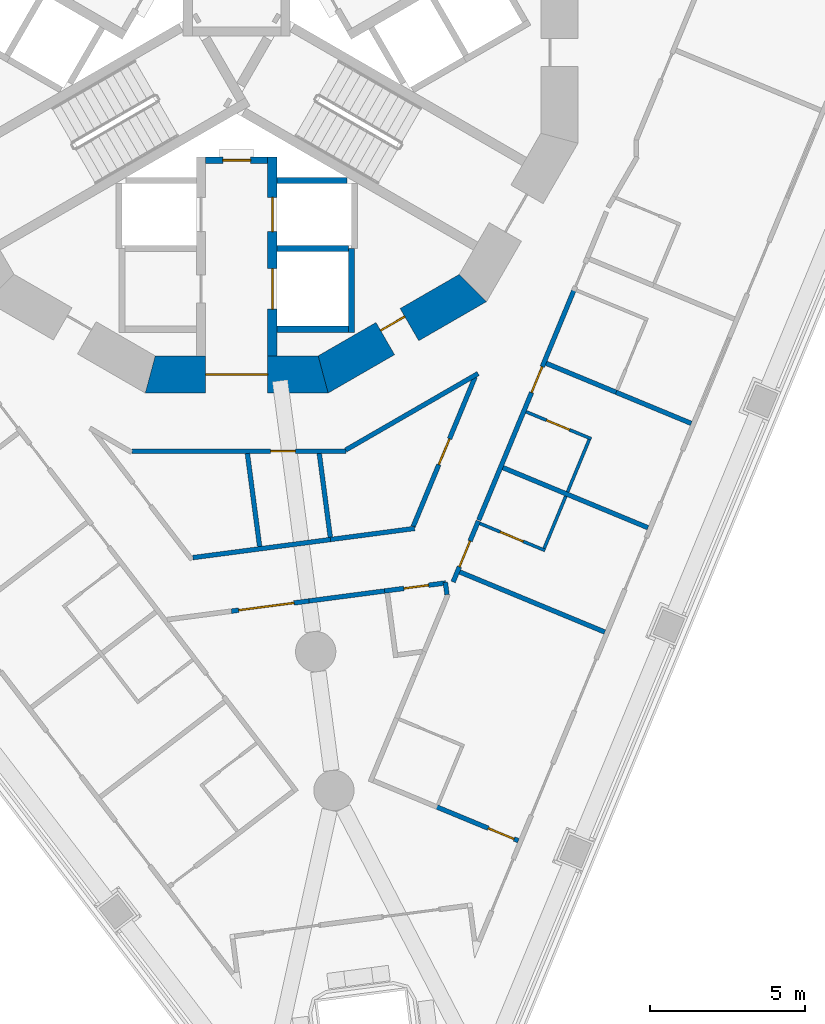
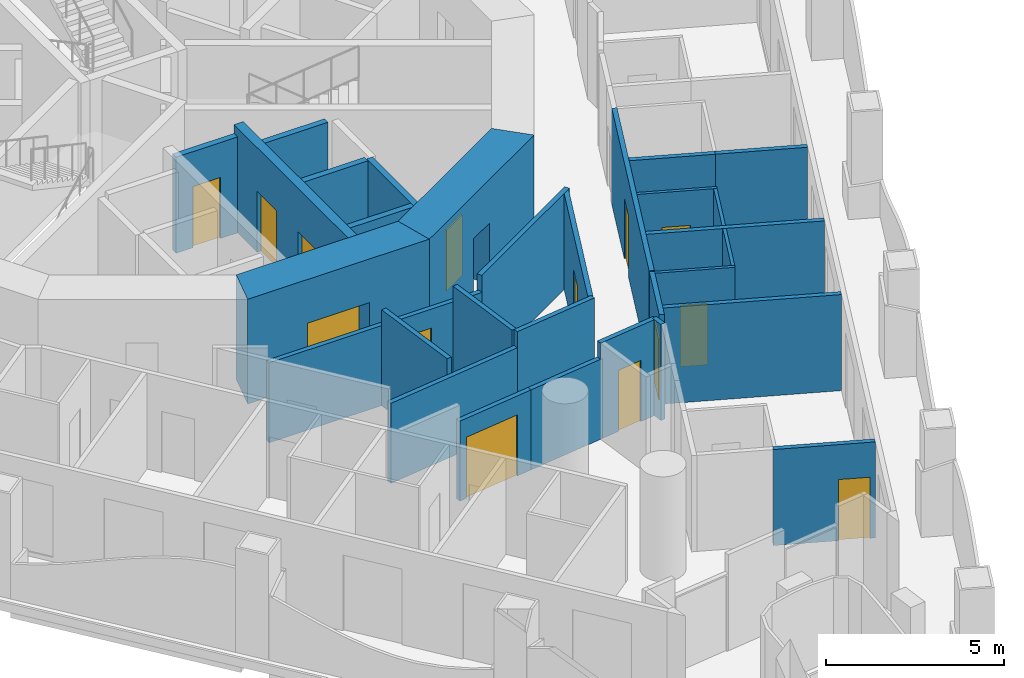
# One storey, part 4 of 19: 30 walls, 14 doors, 14 openings.
"""IFC4 building model written with IfcOpenShell, lengths in metres."""

from ifc_helpers import new_model, si_unit, direction, frame, frame_2d, origin, place, context, subcontext, project, spatial, polyline, rectangle, outline, extrude, material, layer, layer_set, type_object, element, fill, save


model = new_model("IFC4")

# Units and contexts
model_context = context("Model", 3, precision=1e-05, world=origin(), true_north=direction((0.0, 1.0)))
body_context = subcontext(model_context, "Body", "Model", "MODEL_VIEW")
ifc_project = project(units=[si_unit("LENGTHUNIT", "METRE"), si_unit("AREAUNIT", "SQUARE_METRE"), si_unit("VOLUMEUNIT", "CUBIC_METRE"), si_unit("PLANEANGLEUNIT", "RADIAN"), si_unit("MASSUNIT", "GRAM", prefix="KILO")], contexts=[model_context])

# Site, building, storey
site_placement = place(None, origin())
site = spatial("IfcSite", under=ifc_project, at=site_placement, CompositionType="ELEMENT")
building_placement = place(site_placement, origin())
building = spatial("IfcBuilding", under=site, at=building_placement, Name="Trine Commons Tower", CompositionType="ELEMENT")
storey_placement = place(building_placement, frame((0.0, 0.0, 75.60009765625)))
storey = spatial("IfcBuildingStorey", under=building, at=storey_placement, Name="L18", CompositionType="ELEMENT", Elevation=75.60009765625)

# Wall, opening, door
ifc_material_1 = material(Name="Fire-rated gypsum shaft wall system")
ifc_layer_1 = layer(ifc_material_1, 0.199951171875)
ifc_layer_set_1 = layer_set([ifc_layer_1], Name="Fire-rated gypsum shaft wall system")
wall_type_1 = type_object("IfcWallType", Name="Lobby end wall 200 mm, EI 120", PredefinedType="PARTITIONING", material=ifc_layer_set_1)
wall_1_placement = place(storey_placement, frame((79.0, 59.0, 0.0), z_axis=(0.0, 0.0, 1.0), x_axis=(1.0, 0.0, 0.0)))
wall_1 = element("IfcWall", 1, at=wall_1_placement, inside=storey, type_object=wall_type_1, Name="Lobby end wall L18", PredefinedType="PARTITIONING", context=body_context, shape_type="SweptSolid", body=[
    extrude(rectangle(XDim=2.0, YDim=0.199951171875, at=frame_2d((1.0, 0.0))), origin(), (0.0, 0.0, 1.0), 3.2998046875),
])
opening_1_placement = place(wall_1_placement, frame((0.550048828125, 0.0, 0.0)))
opening_1 = element("IfcOpeningElement", 2, at=opening_1_placement, cuts=wall_1, Name="Opening K05.09", PredefinedType="OPENING", context=body_context, shape_type="SweptSolid", body=[
    extrude(rectangle(XDim=0.89990234375, YDim=2.10009765625, at=frame_2d((0.449951171875, 1.050048828125))), frame((0.0, 0.10986328125, 0.0), z_axis=(0.0, -1.0, 0.0), x_axis=(1.0, 0.0, 0.0)), (0.0, 0.0, 1.0), 0.219970703125),
])
ifc_material_2 = material(Name="Steel door leaf, fire-rated", Category="steel")
door_type_1 = type_object("IfcDoorType", Name="Riser access door, single leaf 900 x 2100, FD60", OperationType="SINGLE_SWING_LEFT", PredefinedType="DOOR", material=ifc_material_2)
door_1_placement = place(opening_1_placement, frame((0.89990234375, 0.0, 0.0), z_axis=(0.0, 0.0, 1.0), x_axis=(-1.0, 0.0, 0.0)))
door_1 = element("IfcDoor", 3, at=door_1_placement, inside=storey, type_object=door_type_1, Name="Riser door, Communications riser L18", OperationType="SINGLE_SWING_RIGHT", OverallHeight=2.10009765625, OverallWidth=0.89990234375, PredefinedType="DOOR", context=body_context, shape_type="SweptSolid", body=[
    extrude(rectangle(XDim=0.89990234375, YDim=2.10009765625, at=frame_2d((0.449951171875, 1.050048828125))), frame((0.0, 0.02490234375, 0.0), z_axis=(0.0, -1.0, 0.0), x_axis=(1.0, 0.0, 0.0)), (0.0, 0.0, 1.0), 0.050048828125),
])
fill(opening_1, door_1)

ifc_material_3 = material(Name="Concrete C80/95", Category="concrete")
ifc_layer_2 = layer(ifc_material_3, 1.199951171875)
ifc_layer_set_2 = layer_set([ifc_layer_2], Name="Concrete C80/95")
wall_type_2 = type_object("IfcWallType", Name="RC shear wall 1200 mm, C80/95", PredefinedType="SHEAR", material=ifc_layer_set_2)
wall_2_placement = place(storey_placement, frame((77.049560546875, 52.08837890625, 0.0), z_axis=(0.0, 0.0, 1.0), x_axis=(1.0, 0.0, 0.0)))
wall_2 = element("IfcWall", 4, at=wall_2_placement, inside=storey, type_object=wall_type_2, Name="Core wall CWB-10 L18", PredefinedType="SHEAR", context=body_context, shape_type="SweptSolid", body=[
    extrude(outline(polyline([(0.0, -0.60009765625), (5.90087890625, -0.60009765625), (5.57958984375, 0.60009765625), (0.321533203125, 0.60009765625), (0.0, -0.60009765625)])), origin(), (0.0, 0.0, 1.0), 3.599853515625),
])
opening_2_placement = place(wall_2_placement, frame((1.950439453125, 0.0, 0.0)))
opening_2 = element("IfcOpeningElement", 5, at=opening_2_placement, cuts=wall_2, Name="Opening K05.08", PredefinedType="OPENING", context=body_context, shape_type="SweptSolid", body=[
    extrude(rectangle(XDim=2.0, YDim=2.10009765625, at=frame_2d((1.0, 1.050048828125))), frame((0.0, 0.60986328125, 0.0), z_axis=(0.0, -1.0, 0.0), x_axis=(1.0, 0.0, 0.0)), (0.0, 0.0, 1.0), 1.219970703125),
])
ifc_material_4 = material(Name="Steel door leaves, fire-rated", Category="steel")
door_type_2 = type_object("IfcDoorType", Name="Lobby door, double leaf 2000 x 2100, FD60", OperationType="DOUBLE_DOOR_SINGLE_SWING", PredefinedType="DOOR", material=ifc_material_4)
door_2_placement = place(opening_2_placement, origin())
door_2 = element("IfcDoor", 6, at=door_2_placement, inside=storey, type_object=door_type_2, Name="Lobby door, Service and firefighting lobby L18", OperationType="DOUBLE_DOOR_SINGLE_SWING", OverallHeight=2.10009765625, OverallWidth=2.0, PredefinedType="DOOR", context=body_context, shape_type="SweptSolid", body=[
    extrude(rectangle(XDim=2.0, YDim=2.10009765625, at=frame_2d((1.0, 1.050048828125))), frame((0.0, 0.02490234375, 0.0), z_axis=(0.0, -1.0, 0.0), x_axis=(1.0, 0.0, 0.0)), (0.0, 0.0, 1.0), 0.050048828125),
])
fill(opening_2, door_2)

wall_3_placement = place(storey_placement, frame((82.650390625, 52.008056640625, 0.0), z_axis=(0.0, 0.0, 1.0), x_axis=(0.866037463336, 0.499979111662, 0.0)))
wall_3 = element("IfcWall", 7, at=wall_3_placement, inside=storey, type_object=wall_type_2, Name="Core wall CWB-11 L18", PredefinedType="SHEAR", context=body_context, shape_type="SweptSolid", body=[
    extrude(outline(polyline([(0.0, -0.60009765625), (5.901123046875, -0.60009765625), (5.57958984375, 0.60009765625), (0.321533203125, 0.60009765625), (0.0, -0.60009765625)])), origin(), (0.0, 0.0, 1.0), 3.599853515625),
])
opening_3_placement = place(wall_3_placement, frame((2.474853515625, 0.0, 0.0)))
opening_3 = element("IfcOpeningElement", 8, at=opening_3_placement, cuts=wall_3, Name="Opening K05.15", PredefinedType="OPENING", context=body_context, shape_type="SweptSolid", body=[
    extrude(rectangle(XDim=0.89990234375, YDim=2.10009765625, at=frame_2d((0.449951171875, 1.050048828125))), frame((0.0, 0.60986328125, 0.0), z_axis=(0.0, -1.0, 0.0), x_axis=(1.0, 0.0, 0.0)), (0.0, 0.0, 1.0), 1.219970703125),
])
door_type_3 = type_object("IfcDoorType", Name="Core room door, single leaf 900 x 2100, FD30S", OperationType="SINGLE_SWING_LEFT", PredefinedType="DOOR", material=ifc_material_2)
door_3_placement = place(opening_3_placement, origin())
door_3 = element("IfcDoor", 9, at=door_3_placement, inside=storey, type_object=door_type_3, Name="Door to Core WC L18", OperationType="SINGLE_SWING_LEFT", OverallHeight=2.10009765625, OverallWidth=0.89990234375, PredefinedType="DOOR", context=body_context, shape_type="SweptSolid", body=[
    extrude(rectangle(XDim=0.89990234375, YDim=2.10009765625, at=frame_2d((0.449951171875, 1.050048828125))), frame((0.0, 0.3251953125, 0.0), z_axis=(0.0, -1.0, 0.0), x_axis=(1.0, 0.0, 0.0)), (0.0, 0.0, 1.0), 0.050048828125),
])
fill(opening_3, door_3)

# Wall, openings, doors
ifc_layer_3 = layer(ifc_material_3, 0.300048828125)
ifc_layer_set_3 = layer_set([ifc_layer_3], Name="Concrete C80/95")
wall_type_3 = type_object("IfcWallType", Name="RC shear wall 300 mm, C80/95", PredefinedType="SHEAR", material=ifc_layer_set_3)
wall_4_placement = place(storey_placement, frame((81.14990234375, 59.10009765625, 0.0), z_axis=(0.0, 0.0, 1.0), x_axis=(0.0, -1.0, 0.0)))
wall_4 = element("IfcWall", 10, at=wall_4_placement, inside=storey, type_object=wall_type_3, Name="Core cross wall SWA-04 L18", PredefinedType="SHEAR", context=body_context, shape_type="SweptSolid", body=[
    extrude(rectangle(XDim=6.412109375, YDim=0.300048828125, at=frame_2d((3.2060546875, 0.0))), origin(), (0.0, 0.0, 1.0), 3.599853515625),
])
opening_4_placement = place(wall_4_placement, frame((3.60009765625, 0.0, 0.0)))
opening_4 = element("IfcOpeningElement", 11, at=opening_4_placement, cuts=wall_4, Name="Opening LD11", PredefinedType="OPENING", context=body_context, shape_type="SweptSolid", body=[
    extrude(rectangle(XDim=1.300048828125, YDim=2.10009765625, at=frame_2d((0.64990234375, 1.050048828125))), frame((0.0, 0.159912109375, 0.0), z_axis=(0.0, -1.0, 0.0), x_axis=(1.0, 0.0, 0.0)), (0.0, 0.0, 1.0), 0.320068359375),
])
opening_5_placement = place(wall_4_placement, frame((1.300048828125, 0.0, 0.0)))
opening_5 = element("IfcOpeningElement", 12, at=opening_5_placement, cuts=wall_4, Name="Opening LD9", PredefinedType="OPENING", context=body_context, shape_type="SweptSolid", body=[
    extrude(rectangle(XDim=1.10009765625, YDim=2.10009765625, at=frame_2d((0.550048828125, 1.050048828125))), frame((0.0, 0.159912109375, 0.0), z_axis=(0.0, -1.0, 0.0), x_axis=(1.0, 0.0, 0.0)), (0.0, 0.0, 1.0), 0.320068359375),
])
ifc_material_5 = material(Name="Stainless steel sliding door leaves", Category="steel")
door_type_4 = type_object("IfcDoorType", Name="Lift landing door, centre-opening sliding 1100 x 2100, FD90", OperationType="DOUBLE_DOOR_SLIDING", PredefinedType="DOOR", material=ifc_material_5)
door_4_placement = place(opening_5_placement, origin())
door_4 = element("IfcDoor", 13, at=door_4_placement, inside=storey, type_object=door_type_4, Name="Lift landing door FF1 L18", OperationType="DOUBLE_DOOR_SLIDING", OverallHeight=2.10009765625, OverallWidth=1.10009765625, PredefinedType="DOOR", context=body_context, shape_type="SweptSolid", body=[
    extrude(rectangle(XDim=1.10009765625, YDim=2.10009765625, at=frame_2d((0.550048828125, 1.050048828125))), frame((0.0, 0.02490234375, 0.0), z_axis=(0.0, -1.0, 0.0), x_axis=(1.0, 0.0, 0.0)), (0.0, 0.0, 1.0), 0.050048828125),
])
fill(opening_5, door_4)
door_type_5 = type_object("IfcDoorType", Name="Lift landing door, centre-opening sliding 1300 x 2100, FD90", OperationType="DOUBLE_DOOR_SLIDING", PredefinedType="DOOR", material=ifc_material_5)
door_5_placement = place(opening_4_placement, origin())
door_5 = element("IfcDoor", 14, at=door_5_placement, inside=storey, type_object=door_type_5, Name="Lift landing door G1 L18", OperationType="DOUBLE_DOOR_SLIDING", OverallHeight=2.10009765625, OverallWidth=1.300048828125, PredefinedType="DOOR", context=body_context, shape_type="SweptSolid", body=[
    extrude(rectangle(XDim=1.300048828125, YDim=2.10009765625, at=frame_2d((0.64990234375, 1.050048828125))), frame((0.0, 0.02490234375, 0.0), z_axis=(0.0, -1.0, 0.0), x_axis=(1.0, 0.0, 0.0)), (0.0, 0.0, 1.0), 0.050048828125),
])
fill(opening_4, door_5)

# Walls
ifc_layer_4 = layer(ifc_material_1, 0.199951171875)
ifc_layer_set_4 = layer_set([ifc_layer_4], Name="Fire-rated gypsum shaft wall system")
wall_type_4 = type_object("IfcWallType", Name="Shaft wall 200 mm, EI 120", PredefinedType="PARTITIONING", material=ifc_layer_set_4)
for number, where, z_axis, x_axis, name in (
    (15, (81.300048828125, 53.550048828125, 0.0), (0.0, 0.0, 1.0), (1.0, 0.0, 0.0), "Shaft wall L18"),
    (16, (81.300048828125, 56.14990234375, 0.0), (0.0, 0.0, 1.0), (1.0, 0.0, 0.0), "Shaft wall L18"),
):
    element("IfcWall", number, at=place(storey_placement, frame(where, z_axis=z_axis, x_axis=x_axis)), inside=storey, type_object=wall_type_4, Name=name, PredefinedType="PARTITIONING", context=body_context, shape_type="SweptSolid", body=[
        extrude(rectangle(XDim=2.300048828125, YDim=0.199951171875, at=frame_2d((1.14990234375, 0.0))), origin(), (0.0, 0.0, 1.0), 3.2998046875),
    ])
wall_5_placement = place(storey_placement, frame((81.300048828125, 58.35009765625, 0.0), z_axis=(0.0, 0.0, 1.0), x_axis=(1.0, 0.0, 0.0)))
element("IfcWall", 17, at=wall_5_placement, inside=storey, type_object=wall_type_4, Name="Shaft wall L18", PredefinedType="PARTITIONING", context=body_context, shape_type="SweptSolid", body=[
    extrude(rectangle(XDim=2.264892578125, YDim=0.199951171875, at=frame_2d((1.13232421875, 0.0))), origin(), (0.0, 0.0, 1.0), 3.2998046875),
])
wall_6_placement = place(storey_placement, frame((83.699951171875, 56.14990234375, 0.0), z_axis=(0.0, 0.0, 1.0), x_axis=(0.0, -1.0, 0.0)))
element("IfcWall", 18, at=wall_6_placement, inside=storey, type_object=wall_type_4, Name="Shaft wall L18", PredefinedType="PARTITIONING", context=body_context, shape_type="SweptSolid", body=[
    extrude(rectangle(XDim=2.699951171875, YDim=0.199951171875, at=frame_2d((1.35009765625, 0.0))), origin(), (0.0, 0.0, 1.0), 3.2998046875),
])

# Wall, opening, door
ifc_material_6 = material(Name="Gypsum plasterboard on steel stud", Category="steel")
ifc_layer_5 = layer(ifc_material_6, 0.14990234375)
ifc_layer_set_5 = layer_set([ifc_layer_5], Name="Gypsum plasterboard on steel stud")
wall_type_5 = type_object("IfcWallType", Name="Unit and corridor wall 150 mm, EI 60", PredefinedType="PARTITIONING", material=ifc_layer_set_5)
wall_7_placement = place(storey_placement, frame((76.6220703125, 49.613037109375, 0.0), z_axis=(0.0, 0.0, 1.0), x_axis=(1.0, 0.0, 0.0)))
wall_7 = element("IfcWall", 19, at=wall_7_placement, inside=storey, type_object=wall_type_5, Name="Partition 068", PredefinedType="PARTITIONING", context=body_context, shape_type="SweptSolid", body=[
    extrude(rectangle(XDim=6.906005859375, YDim=0.14990234375, at=frame_2d((3.453125, 0.0))), origin(), (0.0, 0.0, 1.0), 2.75),
])
opening_6_placement = place(wall_7_placement, frame((4.472900390625, 0.0, 0.0)))
opening_6 = element("IfcOpeningElement", 20, at=opening_6_placement, cuts=wall_7, Name="Opening D-2C40", PredefinedType="OPENING", context=body_context, shape_type="SweptSolid", body=[
    extrude(rectangle(XDim=0.800048828125, YDim=2.10009765625, at=frame_2d((0.39990234375, 1.050048828125))), frame((0.0, 0.0849609375, 0.0), z_axis=(0.0, -1.0, 0.0), x_axis=(1.0, 0.0, 0.0)), (0.0, 0.0, 1.0), 0.169921875),
])
ifc_material_7 = material(Name="Painted timber", Category="wood")
door_type_6 = type_object("IfcDoorType", Name="Toilet door 800 x 2100, NOT RATED", OperationType="NOTDEFINED", PredefinedType="DOOR", material=ifc_material_7)
door_6_placement = place(opening_6_placement, frame((0.800048828125, 0.0, 0.0), z_axis=(0.0, 0.0, 1.0), x_axis=(-1.0, 0.0, 0.0)))
door_6 = element("IfcDoor", 21, at=door_6_placement, inside=storey, type_object=door_type_6, Name="Door D-2C40", OperationType="SINGLE_SWING_LEFT", OverallHeight=2.10009765625, OverallWidth=0.800048828125, PredefinedType="DOOR", context=body_context, shape_type="SweptSolid", body=[
    extrude(rectangle(XDim=0.800048828125, YDim=2.10009765625, at=frame_2d((0.39990234375, 1.050048828125))), frame((0.0, 0.02490234375, 0.0), z_axis=(0.0, -1.0, 0.0), x_axis=(1.0, 0.0, 0.0)), (0.0, 0.0, 1.0), 0.050048828125),
])
fill(opening_6, door_6)

# Wall
wall_8_placement = place(storey_placement, frame((78.58642578125, 46.177734375, 0.0), z_axis=(0.0, 0.0, 1.0), x_axis=(0.991454110298, 0.130455920425, 0.0)))
element("IfcWall", 22, at=wall_8_placement, inside=storey, type_object=wall_type_5, Name="Partition 074", PredefinedType="PARTITIONING", context=body_context, shape_type="SweptSolid", body=[
    extrude(rectangle(XDim=4.48583984375, YDim=0.14990234375, at=frame_2d((2.242919921875, 0.0))), origin(), (0.0, 0.0, 1.0), 2.75),
])

# Wall, opening, door
wall_9_placement = place(storey_placement, frame((79.830078125, 44.450927734375, 0.0), z_axis=(0.0, 0.0, 1.0), x_axis=(0.991466141497, 0.130364451691, 0.0)))
wall_9 = element("IfcWall", 23, at=wall_9_placement, inside=storey, type_object=wall_type_5, Name="Partition 079", PredefinedType="PARTITIONING", context=body_context, shape_type="SweptSolid", body=[
    extrude(rectangle(XDim=2.5244140625, YDim=0.14990234375, at=frame_2d((1.26220703125, 0.0))), origin(), (0.0, 0.0, 1.0), 2.75),
])
opening_7_placement = place(wall_9_placement, frame((0.23486328125, 0.0, 0.0)))
opening_7 = element("IfcOpeningElement", 24, at=opening_7_placement, cuts=wall_9, Name="Opening D-2C02", PredefinedType="OPENING", context=body_context, shape_type="SweptSolid", body=[
    extrude(rectangle(XDim=1.800048828125, YDim=2.10009765625, at=frame_2d((0.89990234375, 1.050048828125))), frame((0.0, 0.0849609375, 0.0), z_axis=(0.0, -1.0, 0.0), x_axis=(1.0, 0.0, 0.0)), (0.0, 0.0, 1.0), 0.169921875),
])
ifc_material_8 = material(Name="Timber fire door set", Category="wood")
door_type_7 = type_object("IfcDoorType", Name="Cluster entrance door 1800 x 2100, double leaf, FD30S", OperationType="DOUBLE_DOOR_DOUBLE_SWING", PredefinedType="DOOR", material=ifc_material_8)
door_7_placement = place(opening_7_placement, frame((1.800048828125, 0.0, 0.0), z_axis=(0.0, 0.0, 1.0), x_axis=(-1.0, 0.0, 0.0)))
door_7 = element("IfcDoor", 25, at=door_7_placement, inside=storey, type_object=door_type_7, Name="Door D-2C02", OperationType="DOUBLE_DOOR_DOUBLE_SWING", OverallHeight=2.10009765625, OverallWidth=1.800048828125, PredefinedType="DOOR", context=body_context, shape_type="SweptSolid", body=[
    extrude(rectangle(XDim=1.800048828125, YDim=2.10009765625, at=frame_2d((0.89990234375, 1.050048828125))), frame((0.0, 0.02490234375, 0.0), z_axis=(0.0, -1.0, 0.0), x_axis=(1.0, 0.0, 0.0)), (0.0, 0.0, 1.0), 0.050048828125),
])
fill(opening_7, door_7)

# Walls
wall_10_placement = place(storey_placement, frame((80.3447265625, 49.53857421875, 0.0), z_axis=(0.0, 0.0, 1.0), x_axis=(0.130652703184, -0.991428197678, 0.0)))
element("IfcWall", 26, at=wall_10_placement, inside=storey, type_object=wall_type_5, Name="Partition 081", PredefinedType="PARTITIONING", context=body_context, shape_type="SweptSolid", body=[
    extrude(rectangle(XDim=3.027099609375, YDim=0.14990234375, at=frame_2d((1.513671875, 0.0))), origin(), (0.0, 0.0, 1.0), 3.2998046875),
])
wall_11_placement = place(storey_placement, frame((82.3330078125, 44.780029296875, 0.0), z_axis=(0.0, 0.0, 1.0), x_axis=(0.991416071527, 0.130744686764, 0.0)))
element("IfcWall", 27, at=wall_11_placement, inside=storey, type_object=wall_type_5, Name="Partition 083", PredefinedType="PARTITIONING", context=body_context, shape_type="SweptSolid", body=[
    extrude(rectangle(XDim=2.524658203125, YDim=0.14990234375, at=frame_2d((1.26220703125, 0.0))), origin(), (0.0, 0.0, 1.0), 2.75),
])
wall_12_placement = place(storey_placement, frame((82.664794921875, 49.53857421875, 0.0), z_axis=(0.0, 0.0, 1.0), x_axis=(0.130473056883, -0.991451855325, 0.0)))
element("IfcWall", 28, at=wall_12_placement, inside=storey, type_object=wall_type_5, Name="Partition 084", PredefinedType="PARTITIONING", context=body_context, shape_type="SweptSolid", body=[
    extrude(rectangle(XDim=2.724365234375, YDim=0.14990234375, at=frame_2d((1.3623046875, 0.0))), origin(), (0.0, 0.0, 1.0), 3.2998046875),
])
wall_13_placement = place(storey_placement, frame((83.02587890625, 46.761962890625, 0.0), z_axis=(0.0, 0.0, 1.0), x_axis=(0.991413869998, 0.130761379525, 0.0)))
element("IfcWall", 29, at=wall_13_placement, inside=storey, type_object=wall_type_5, Name="Partition 085", PredefinedType="PARTITIONING", context=body_context, shape_type="SweptSolid", body=[
    extrude(rectangle(XDim=2.737060546875, YDim=0.14990234375, at=frame_2d((1.36865234375, 0.0))), origin(), (0.0, 0.0, 1.0), 3.2998046875),
])
wall_14_placement = place(storey_placement, frame((83.517822265625, 49.650390625, 0.0), z_axis=(0.0, 0.0, 1.0), x_axis=(0.865971288988, 0.500093717866, 0.0)))
element("IfcWall", 30, at=wall_14_placement, inside=storey, type_object=wall_type_5, Name="Partition 086", PredefinedType="PARTITIONING", context=body_context, shape_type="SweptSolid", body=[
    extrude(rectangle(XDim=4.93310546875, YDim=0.14990234375, at=frame_2d((2.466552734375, 0.0))), origin(), (0.0, 0.0, 1.0), 3.2998046875),
])

# Wall, opening, door
wall_15_placement = place(storey_placement, frame((84.772705078125, 45.102294921875, 0.0), z_axis=(0.0, 0.0, 1.0), x_axis=(0.991450105095, 0.130486356022, 0.0)))
wall_15 = element("IfcWall", 31, at=wall_15_placement, inside=storey, type_object=wall_type_5, Name="Partition 089", PredefinedType="PARTITIONING", context=body_context, shape_type="SweptSolid", body=[
    extrude(rectangle(XDim=1.983154296875, YDim=0.14990234375, at=frame_2d((0.99169921875, 0.0))), origin(), (0.0, 0.0, 1.0), 3.2998046875),
])
opening_8_placement = place(wall_15_placement, frame((0.629150390625, 0.0, 0.0)))
opening_8 = element("IfcOpeningElement", 32, at=opening_8_placement, cuts=wall_15, Name="Opening D-2C05", PredefinedType="OPENING", context=body_context, shape_type="SweptSolid", body=[
    extrude(rectangle(XDim=0.800048828125, YDim=2.10009765625, at=frame_2d((0.39990234375, 1.050048828125))), frame((0.0, 0.0849609375, 0.0), z_axis=(0.0, -1.0, 0.0), x_axis=(1.0, 0.0, 0.0)), (0.0, 0.0, 1.0), 0.169921875),
])
door_8_placement = place(opening_8_placement, frame((0.800048828125, 0.0, 0.0), z_axis=(0.0, 0.0, 1.0), x_axis=(-1.0, 0.0, 0.0)))
door_8 = element("IfcDoor", 33, at=door_8_placement, inside=storey, type_object=door_type_6, Name="Door D-2C05", OperationType="SINGLE_SWING_LEFT", OverallHeight=2.10009765625, OverallWidth=0.800048828125, PredefinedType="DOOR", context=body_context, shape_type="SweptSolid", body=[
    extrude(rectangle(XDim=0.800048828125, YDim=2.10009765625, at=frame_2d((0.39990234375, 1.050048828125))), frame((0.0, 0.02490234375, 0.0), z_axis=(0.0, -1.0, 0.0), x_axis=(1.0, 0.0, 0.0)), (0.0, 0.0, 1.0), 0.050048828125),
])
fill(opening_8, door_8)

wall_16_placement = place(storey_placement, frame((85.693603515625, 47.17919921875, 0.0), z_axis=(0.0, 0.0, 1.0), x_axis=(0.382564920946, 0.923928612643, 0.0)))
wall_16 = element("IfcWall", 34, at=wall_16_placement, inside=storey, type_object=wall_type_5, Name="Partition 096", PredefinedType="PARTITIONING", context=body_context, shape_type="SweptSolid", body=[
    extrude(rectangle(XDim=5.227294921875, YDim=0.14990234375, at=frame_2d((2.61376953125, 0.0))), origin(), (0.0, 0.0, 1.0), 3.2998046875),
])
opening_9_placement = place(wall_16_placement, frame((2.16357421875, 0.0, 0.0)))
opening_9 = element("IfcOpeningElement", 35, at=opening_9_placement, cuts=wall_16, Name="Opening D-2C34", PredefinedType="OPENING", context=body_context, shape_type="SweptSolid", body=[
    extrude(rectangle(XDim=0.89990234375, YDim=2.10009765625, at=frame_2d((0.449951171875, 1.050048828125))), frame((0.0, 0.0849609375, 0.0), z_axis=(0.0, -1.0, 0.0), x_axis=(1.0, 0.0, 0.0)), (0.0, 0.0, 1.0), 0.169921875),
])
door_type_8 = type_object("IfcDoorType", Name="Service door 900 x 2100, FD30S", OperationType="NOTDEFINED", PredefinedType="DOOR", material=ifc_material_8)
door_9_placement = place(opening_9_placement, origin())
door_9 = element("IfcDoor", 36, at=door_9_placement, inside=storey, type_object=door_type_8, Name="Door D-2C34", OperationType="SINGLE_SWING_LEFT", OverallHeight=2.10009765625, OverallWidth=0.89990234375, PredefinedType="DOOR", context=body_context, shape_type="SweptSolid", body=[
    extrude(rectangle(XDim=0.89990234375, YDim=2.10009765625, at=frame_2d((0.449951171875, 1.050048828125))), frame((0.0, 0.02490234375, 0.0), z_axis=(0.0, -1.0, 0.0), x_axis=(1.0, 0.0, 0.0)), (0.0, 0.0, 1.0), 0.050048828125),
])
fill(opening_9, door_9)

wall_17_placement = place(storey_placement, frame((86.413818359375, 38.151123046875, 0.0), z_axis=(0.0, 0.0, 1.0), x_axis=(0.923916054036, -0.382595249703, 0.0)))
wall_17 = element("IfcWall", 37, at=wall_17_placement, inside=storey, type_object=wall_type_5, Name="Partition 099", PredefinedType="PARTITIONING", context=body_context, shape_type="SweptSolid", body=[
    extrude(rectangle(XDim=2.893310546875, YDim=0.14990234375, at=frame_2d((1.44677734375, 0.0))), origin(), (0.0, 0.0, 1.0), 3.2998046875),
])
opening_10_placement = place(wall_17_placement, frame((1.84326171875, 0.0, 0.0)))
opening_10 = element("IfcOpeningElement", 38, at=opening_10_placement, cuts=wall_17, Name="Opening D-2C23", PredefinedType="OPENING", context=body_context, shape_type="SweptSolid", body=[
    extrude(rectangle(XDim=0.89990234375, YDim=2.10009765625, at=frame_2d((0.449951171875, 1.050048828125))), frame((0.0, 0.0849609375, 0.0), z_axis=(0.0, -1.0, 0.0), x_axis=(1.0, 0.0, 0.0)), (0.0, 0.0, 1.0), 0.169921875),
])
door_type_9 = type_object("IfcDoorType", Name="Bedroom door 900 x 2100, FD30S", OperationType="NOTDEFINED", PredefinedType="DOOR", material=ifc_material_8)
door_10_placement = place(opening_10_placement, origin())
door_10 = element("IfcDoor", 39, at=door_10_placement, inside=storey, type_object=door_type_9, Name="Door D-2C23", OperationType="SINGLE_SWING_RIGHT", OverallHeight=2.10009765625, OverallWidth=0.89990234375, PredefinedType="DOOR", context=body_context, shape_type="SweptSolid", body=[
    extrude(rectangle(XDim=0.89990234375, YDim=2.10009765625, at=frame_2d((0.449951171875, 1.050048828125))), frame((0.0, 0.02490234375, 0.0), z_axis=(0.0, -1.0, 0.0), x_axis=(1.0, 0.0, 0.0)), (0.0, 0.0, 1.0), 0.050048828125),
])
fill(opening_10, door_10)

# Wall
wall_18_placement = place(storey_placement, frame((86.732177734375, 45.380859375, 0.0), z_axis=(0.0, 0.0, 1.0), x_axis=(0.131843859112, -0.99127049629, 0.0)))
element("IfcWall", 40, at=wall_18_placement, inside=storey, type_object=wall_type_5, Name="Partition 102", PredefinedType="PARTITIONING", context=body_context, shape_type="SweptSolid", body=[
    extrude(rectangle(XDim=0.39990234375, YDim=0.14990234375, at=frame_2d((0.199951171875, 0.0))), origin(), (0.0, 0.0, 1.0), 3.2998046875),
])

# Wall, opening, door
wall_19_placement = place(storey_placement, frame((86.98291015625, 45.39306640625, 0.0), z_axis=(0.0, 0.0, 1.0), x_axis=(0.382618621816, 0.923906375257, 0.0)))
wall_19 = element("IfcWall", 41, at=wall_19_placement, inside=storey, type_object=wall_type_5, Name="Partition 103", PredefinedType="PARTITIONING", context=body_context, shape_type="SweptSolid", body=[
    extrude(rectangle(XDim=2.1279296875, YDim=0.14990234375, at=frame_2d((1.06396484375, 0.0))), origin(), (0.0, 0.0, 1.0), 3.2998046875),
])
opening_11_placement = place(wall_19_placement, frame((0.52978515625, 0.0, 0.0)))
opening_11 = element("IfcOpeningElement", 42, at=opening_11_placement, cuts=wall_19, Name="Opening D-2C22", PredefinedType="OPENING", context=body_context, shape_type="SweptSolid", body=[
    extrude(rectangle(XDim=0.89990234375, YDim=2.10009765625, at=frame_2d((0.449951171875, 1.050048828125))), frame((0.0, 0.0849609375, 0.0), z_axis=(0.0, -1.0, 0.0), x_axis=(1.0, 0.0, 0.0)), (0.0, 0.0, 1.0), 0.169921875),
])
door_11_placement = place(opening_11_placement, frame((0.89990234375, 0.0, 0.0), z_axis=(0.0, 0.0, 1.0), x_axis=(-1.0, 0.0, 0.0)))
door_11 = element("IfcDoor", 43, at=door_11_placement, inside=storey, type_object=door_type_9, Name="Door D-2C22", OperationType="SINGLE_SWING_RIGHT", OverallHeight=2.10009765625, OverallWidth=0.89990234375, PredefinedType="DOOR", context=body_context, shape_type="SweptSolid", body=[
    extrude(rectangle(XDim=0.89990234375, YDim=2.10009765625, at=frame_2d((0.449951171875, 1.050048828125))), frame((0.0, 0.02490234375, 0.0), z_axis=(0.0, -1.0, 0.0), x_axis=(1.0, 0.0, 0.0)), (0.0, 0.0, 1.0), 0.050048828125),
])
fill(opening_11, door_11)

# Wall
wall_20_placement = place(storey_placement, frame((87.197265625, 45.71533203125, 0.0), z_axis=(0.0, 0.0, 1.0), x_axis=(0.923879340067, -0.382683896966, 0.0)))
element("IfcWall", 44, at=wall_20_placement, inside=storey, type_object=wall_type_5, Name="Partition 104", PredefinedType="PARTITIONING", context=body_context, shape_type="SweptSolid", body=[
    extrude(rectangle(XDim=5.064208984375, YDim=0.14990234375, at=frame_2d((2.5322265625, 0.0))), origin(), (0.0, 0.0, 1.0), 3.2998046875),
])

# Wall, opening, door
wall_21_placement = place(storey_placement, frame((87.81103515625, 47.39306640625, 0.0), z_axis=(0.0, 0.0, 1.0), x_axis=(0.382690813145, 0.923876475257, 0.0)))
wall_21 = element("IfcWall", 45, at=wall_21_placement, inside=storey, type_object=wall_type_5, Name="Partition 107", PredefinedType="PARTITIONING", context=body_context, shape_type="SweptSolid", body=[
    extrude(rectangle(XDim=8.05615234375, YDim=0.14990234375, at=frame_2d((4.028076171875, 0.0))), origin(), (0.0, 0.0, 1.0), 3.2998046875),
])
opening_12_placement = place(wall_21_placement, frame((4.451904296875, 0.0, 0.0)))
opening_12 = element("IfcOpeningElement", 46, at=opening_12_placement, cuts=wall_21, Name="Opening D-2C21", PredefinedType="OPENING", context=body_context, shape_type="SweptSolid", body=[
    extrude(rectangle(XDim=0.89990234375, YDim=2.10009765625, at=frame_2d((0.449951171875, 1.050048828125))), frame((0.0, 0.0849609375, 0.0), z_axis=(0.0, -1.0, 0.0), x_axis=(1.0, 0.0, 0.0)), (0.0, 0.0, 1.0), 0.169921875),
])
door_12_placement = place(opening_12_placement, frame((0.89990234375, 0.0, 0.0), z_axis=(0.0, 0.0, 1.0), x_axis=(-1.0, 0.0, 0.0)))
door_12 = element("IfcDoor", 47, at=door_12_placement, inside=storey, type_object=door_type_9, Name="Door D-2C21", OperationType="SINGLE_SWING_LEFT", OverallHeight=2.10009765625, OverallWidth=0.89990234375, PredefinedType="DOOR", context=body_context, shape_type="SweptSolid", body=[
    extrude(rectangle(XDim=0.89990234375, YDim=2.10009765625, at=frame_2d((0.449951171875, 1.050048828125))), frame((0.0, 0.02490234375, 0.0), z_axis=(0.0, -1.0, 0.0), x_axis=(1.0, 0.0, 0.0)), (0.0, 0.0, 1.0), 0.050048828125),
])
fill(opening_12, door_12)

# Walls
wall_22_placement = place(storey_placement, frame((88.59130859375, 49.081298828125, 0.0), z_axis=(0.0, 0.0, 1.0), x_axis=(0.923879340067, -0.382683896966, 0.0)))
element("IfcWall", 48, at=wall_22_placement, inside=storey, type_object=wall_type_5, Name="Partition 110", PredefinedType="PARTITIONING", context=body_context, shape_type="SweptSolid", body=[
    extrude(rectangle(XDim=5.064208984375, YDim=0.14990234375, at=frame_2d((2.5322265625, 0.0))), origin(), (0.0, 0.0, 1.0), 3.2998046875),
])
wall_23_placement = place(storey_placement, frame((89.986328125, 52.447265625, 0.0), z_axis=(0.0, 0.0, 1.0), x_axis=(0.923925561413, -0.382572289859, 0.0)))
element("IfcWall", 49, at=wall_23_placement, inside=storey, type_object=wall_type_5, Name="Partition 116", PredefinedType="PARTITIONING", context=body_context, shape_type="SweptSolid", body=[
    extrude(rectangle(XDim=2.44482421875, YDim=0.14990234375, at=frame_2d((1.222412109375, 0.0))), origin(), (0.0, 0.0, 1.0), 3.2998046875),
])
wall_24_placement = place(storey_placement, frame((92.2451171875, 51.511962890625, 0.0), z_axis=(0.0, 0.0, 1.0), x_axis=(0.923836188424, -0.382788057492, 0.0)))
element("IfcWall", 50, at=wall_24_placement, inside=storey, type_object=wall_type_5, Name="Partition 135", PredefinedType="PARTITIONING", context=body_context, shape_type="SweptSolid", body=[
    extrude(rectangle(XDim=2.619384765625, YDim=0.14990234375, at=frame_2d((1.3095703125, 0.0))), origin(), (0.0, 0.0, 1.0), 3.2998046875),
])

# Wall, opening, door
ifc_layer_6 = layer(ifc_material_6, 0.10009765625)
ifc_layer_set_6 = layer_set([ifc_layer_6], Name="Gypsum plasterboard on steel stud")
wall_type_6 = type_object("IfcWallType", Name="Unit partition 100 mm, no rating", PredefinedType="PARTITIONING", material=ifc_layer_set_6)
wall_25_placement = place(storey_placement, frame((87.84521484375, 47.2802734375, 0.0), z_axis=(0.0, 0.0, 1.0), x_axis=(0.92378006954, -0.382923469012, 0.0)))
wall_25 = element("IfcWall", 51, at=wall_25_placement, inside=storey, type_object=wall_type_6, Name="Partition 106", PredefinedType="PARTITIONING", context=body_context, shape_type="SweptSolid", body=[
    extrude(rectangle(XDim=2.275390625, YDim=0.10009765625, at=frame_2d((1.1376953125, 0.0))), origin(), (0.0, 0.0, 1.0), 3.2998046875),
])
opening_13_placement = place(wall_25_placement, frame((0.712646484375, 0.0, 0.0)))
opening_13 = element("IfcOpeningElement", 52, at=opening_13_placement, cuts=wall_25, Name="Opening D-2C55", PredefinedType="OPENING", context=body_context, shape_type="SweptSolid", body=[
    extrude(rectangle(XDim=0.800048828125, YDim=2.10009765625, at=frame_2d((0.39990234375, 1.050048828125))), frame((0.0, 0.06005859375, 0.0), z_axis=(0.0, -1.0, 0.0), x_axis=(1.0, 0.0, 0.0)), (0.0, 0.0, 1.0), 0.1201171875),
])
door_type_10 = type_object("IfcDoorType", Name="Internal door 800 x 2100, NOT RATED", OperationType="NOTDEFINED", PredefinedType="DOOR", material=ifc_material_7)
door_13_placement = place(opening_13_placement, frame((0.800048828125, 0.0, 0.0), z_axis=(0.0, 0.0, 1.0), x_axis=(-1.0, 0.0, 0.0)))
door_13 = element("IfcDoor", 53, at=door_13_placement, inside=storey, type_object=door_type_10, Name="Door D-2C55", OperationType="SINGLE_SWING_RIGHT", OverallHeight=2.10009765625, OverallWidth=0.800048828125, PredefinedType="DOOR", context=body_context, shape_type="SweptSolid", body=[
    extrude(rectangle(XDim=0.800048828125, YDim=2.10009765625, at=frame_2d((0.39990234375, 1.050048828125))), frame((0.0, 0.02490234375, 0.0), z_axis=(0.0, -1.0, 0.0), x_axis=(1.0, 0.0, 0.0)), (0.0, 0.0, 1.0), 0.050048828125),
])
fill(opening_13, door_13)

wall_26_placement = place(storey_placement, frame((89.33837890625, 50.88330078125, 0.0), z_axis=(0.0, 0.0, 1.0), x_axis=(0.923764335003, -0.382961425442, 0.0)))
wall_26 = element("IfcWall", 54, at=wall_26_placement, inside=storey, type_object=wall_type_6, Name="Partition 112", PredefinedType="PARTITIONING", context=body_context, shape_type="SweptSolid", body=[
    extrude(rectangle(XDim=2.275146484375, YDim=0.10009765625, at=frame_2d((1.1376953125, 0.0))), origin(), (0.0, 0.0, 1.0), 3.2998046875),
])
opening_14_placement = place(wall_26_placement, frame((0.712646484375, 0.0, 0.0)))
opening_14 = element("IfcOpeningElement", 55, at=opening_14_placement, cuts=wall_26, Name="Opening D-2C54", PredefinedType="OPENING", context=body_context, shape_type="SweptSolid", body=[
    extrude(rectangle(XDim=0.800048828125, YDim=2.10009765625, at=frame_2d((0.39990234375, 1.050048828125))), frame((0.0, 0.06005859375, 0.0), z_axis=(0.0, -1.0, 0.0), x_axis=(1.0, 0.0, 0.0)), (0.0, 0.0, 1.0), 0.1201171875),
])
door_14_placement = place(opening_14_placement, origin())
door_14 = element("IfcDoor", 56, at=door_14_placement, inside=storey, type_object=door_type_10, Name="Door D-2C54", OperationType="SINGLE_SWING_LEFT", OverallHeight=2.10009765625, OverallWidth=0.800048828125, PredefinedType="DOOR", context=body_context, shape_type="SweptSolid", body=[
    extrude(rectangle(XDim=0.800048828125, YDim=2.10009765625, at=frame_2d((0.39990234375, 1.050048828125))), frame((0.0, 0.02490234375, 0.0), z_axis=(0.0, -1.0, 0.0), x_axis=(1.0, 0.0, 0.0)), (0.0, 0.0, 1.0), 0.050048828125),
])
fill(opening_14, door_14)

# Walls
wall_27_placement = place(storey_placement, frame((89.920166015625, 46.47412109375, 0.0), z_axis=(0.0, 0.0, 1.0), x_axis=(0.382525049986, 0.923945120737, 0.0)))
element("IfcWall", 57, at=wall_27_placement, inside=storey, type_object=wall_type_6, Name="Partition 115", PredefinedType="PARTITIONING", context=body_context, shape_type="SweptSolid", body=[
    extrude(rectangle(XDim=1.825439453125, YDim=0.10009765625, at=frame_2d((0.91259765625, 0.0))), origin(), (0.0, 0.0, 1.0), 3.2998046875),
])
wall_28_placement = place(storey_placement, frame((90.67578125, 48.29931640625, 0.0), z_axis=(0.0, 0.0, 1.0), x_axis=(0.383056790985, 0.923724793908, 0.0)))
element("IfcWall", 58, at=wall_28_placement, inside=storey, type_object=wall_type_6, Name="Partition 119", PredefinedType="PARTITIONING", context=body_context, shape_type="SweptSolid", body=[
    extrude(rectangle(XDim=1.82470703125, YDim=0.10009765625, at=frame_2d((0.912353515625, 0.0))), origin(), (0.0, 0.0, 1.0), 3.2998046875),
])

save(model, "model.ifc")
